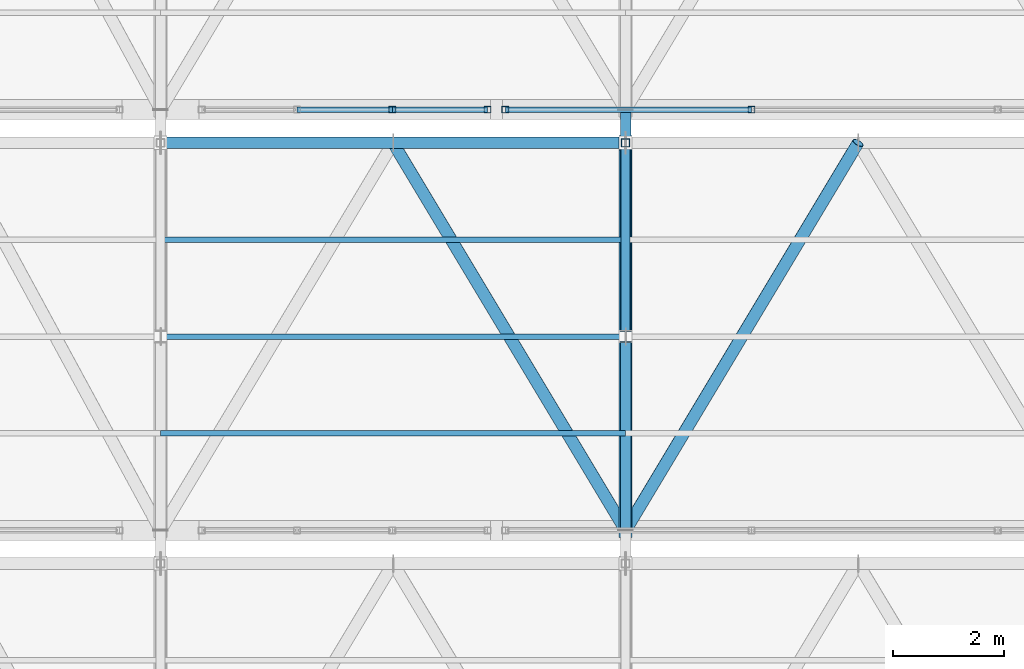
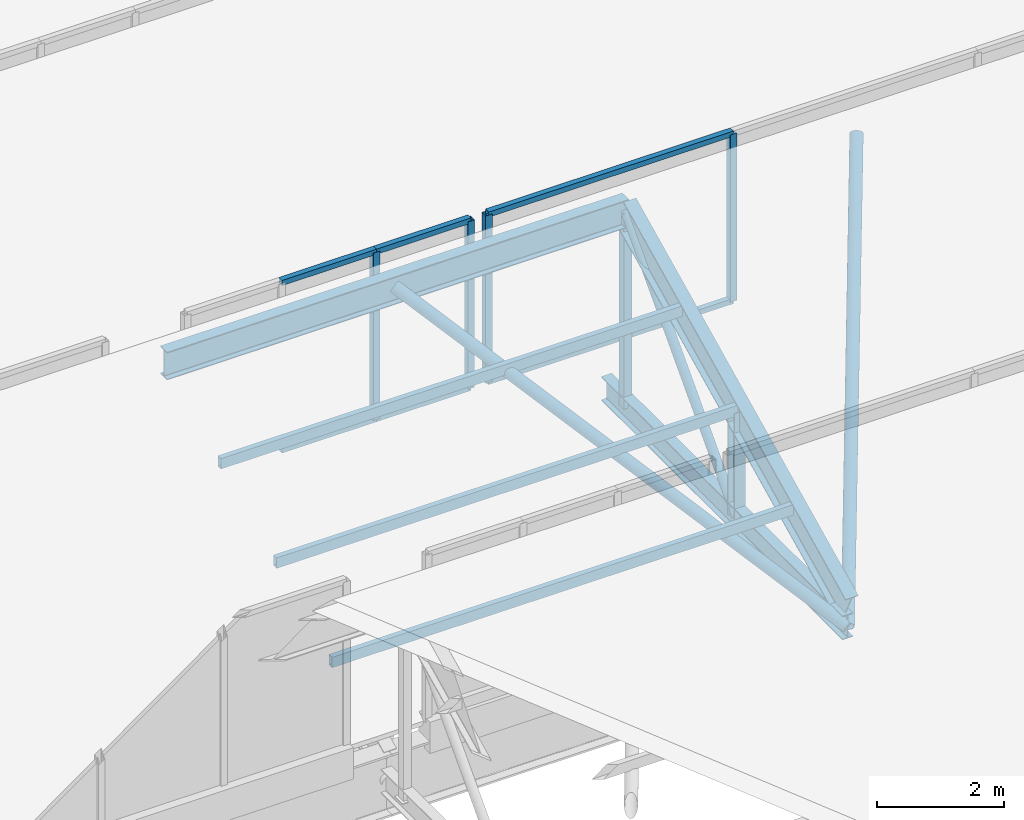
# One storey, part 13 of 57: 21 members, 2 elements without a shape of their own.
"""IFC4 building model written with IfcOpenShell, lengths in metres."""

from ifc_helpers import new_model, si_unit, direction, frame, origin, origin_2d, place, context, subcontext, project, spatial, hollow_rectangle, hollow_circle, i_section, extrude, material, material_profile, profile_set, type_object, element, aggregate, save


model = new_model("IFC4")

# Units and contexts
model_context = context("Model", 3, precision=1e-05, world=origin(), true_north=direction((0.0, 1.0)))
body_context = subcontext(model_context, "Body", "Model", "MODEL_VIEW")
ifc_project = project(units=[si_unit("LENGTHUNIT", "METRE"), si_unit("AREAUNIT", "SQUARE_METRE"), si_unit("VOLUMEUNIT", "CUBIC_METRE"), si_unit("PLANEANGLEUNIT", "RADIAN"), si_unit("MASSUNIT", "GRAM", prefix="KILO")], contexts=[model_context])

# Site, building, storey
site_placement = place(None, origin())
site = spatial("IfcSite", under=ifc_project, at=site_placement, CompositionType="ELEMENT")
building_placement = place(site_placement, origin())
building = spatial("IfcBuilding", under=site, at=building_placement, Name="Zuvorla Pavilion Media Centre", CompositionType="ELEMENT")
storey_placement = place(building_placement, frame((0.0, 0.0, 18.0)))
storey = spatial("IfcBuildingStorey", under=building, at=storey_placement, Name="L04", CompositionType="ELEMENT", Elevation=18.0)

# Curtain wall, members
ifc_material_1 = material(Name="Unitised anodised aluminium and solar glass curtain wall", Category="aluminium")
curtain_wall_type_1 = type_object("IfcCurtainWallType", Name="CW-SYS-91", PredefinedType="USERDEFINED", material=ifc_material_1)
curtain_wall_1_placement = place(storey_placement, origin())
curtain_wall_1 = element("IfcCurtainWall", 1, at=curtain_wall_1_placement, inside=storey, type_object=curtain_wall_type_1, Name="L04 curtain wall CW91 236", ObjectType="CURTAIN WALL", PredefinedType="USERDEFINED")
ifc_material_2 = material(Name="Anodised aluminium 6063-T6", Category="aluminium")
ifc_material_profile_1 = material_profile(ifc_material_2, hollow_rectangle(XDim=0.1201171875, YDim=0.1201171875, WallThickness=0.0048828125, at=origin_2d()), Name="ALU MULL 120x120")
ifc_profile_set_1 = profile_set([ifc_material_profile_1], Name="Anodised aluminium 6063-T6")
member_type_1 = type_object("IfcMemberType", Name="CW-MULL-120", PredefinedType="MULLION", material=ifc_profile_set_1)
member_1_placement = place(storey_placement, frame((129.785888671875, 28.800048828125, 0.0), z_axis=(0.0, 0.0, 1.0), x_axis=(1.0, 0.0, 0.0)))
member_1 = element("IfcMember", 2, at=member_1_placement, type_object=member_type_1, Name="CW91 mullion 3", PredefinedType="MULLION", context=body_context, shape_type="SweptSolid", body=[
    extrude(hollow_rectangle(XDim=0.1201171875, YDim=0.1201171875, WallThickness=0.0048828125, at=origin_2d()), origin(), (0.0, 0.0, 1.0), 3.219970703125),
])
member_2_placement = place(storey_placement, frame((131.506591796875, 28.800048828125, 0.0), z_axis=(0.0, 0.0, 1.0), x_axis=(1.0, 0.0, 0.0)))
member_2 = element("IfcMember", 3, at=member_2_placement, type_object=member_type_1, Name="CW91 mullion 4", PredefinedType="MULLION", context=body_context, shape_type="SweptSolid", body=[
    extrude(hollow_rectangle(XDim=0.1201171875, YDim=0.1201171875, WallThickness=0.0048828125, at=origin_2d()), origin(), (0.0, 0.0, 1.0), 3.219970703125),
])

curtain_wall_type_2 = type_object("IfcCurtainWallType", Name="CW-SYS-95", PredefinedType="USERDEFINED", material=ifc_material_1)
curtain_wall_2_placement = place(storey_placement, origin())
curtain_wall_2 = element("IfcCurtainWall", 4, at=curtain_wall_2_placement, inside=storey, type_object=curtain_wall_type_2, Name="L04 curtain wall CW95 237", ObjectType="CURTAIN WALL", PredefinedType="USERDEFINED")
member_3_placement = place(storey_placement, frame((131.82666015625, 28.800048828125, 0.0), z_axis=(0.0, 0.0, 1.0), x_axis=(1.0, 0.0, 0.0)))
member_3 = element("IfcMember", 5, at=member_3_placement, type_object=member_type_1, Name="CW95 mullion 1", PredefinedType="MULLION", context=body_context, shape_type="SweptSolid", body=[
    extrude(hollow_rectangle(XDim=0.1201171875, YDim=0.1201171875, WallThickness=0.0048828125, at=origin_2d()), origin(), (0.0, 0.0, 1.0), 3.219970703125),
])
member_4_placement = place(storey_placement, frame((136.275634765625, 28.800048828125, 0.0), z_axis=(0.0, 0.0, 1.0), x_axis=(1.0, 0.0, 0.0)))
member_4 = element("IfcMember", 6, at=member_4_placement, type_object=member_type_1, Name="CW95 mullion 2", PredefinedType="MULLION", context=body_context, shape_type="SweptSolid", body=[
    extrude(hollow_rectangle(XDim=0.1201171875, YDim=0.1201171875, WallThickness=0.0048828125, at=origin_2d()), origin(), (0.0, 0.0, 1.0), 3.219970703125),
])

# Member
ifc_material_profile_2 = material_profile(ifc_material_2, hollow_rectangle(XDim=0.10009765625, YDim=0.10009765625, WallThickness=0.00439453125, at=origin_2d()), Name="ALU TRAN 100x100")
ifc_profile_set_2 = profile_set([ifc_material_profile_2], Name="Anodised aluminium 6063-T6")
member_type_2 = type_object("IfcMemberType", Name="CW-TRAN-100", PredefinedType="USERDEFINED", material=ifc_profile_set_2)
member_5_placement = place(storey_placement, frame((128.065185546875, 28.800048828125, 0.0), z_axis=(1.0, 0.0, 0.0), x_axis=(0.0, 1.0, 0.0)))
member_5 = element("IfcMember", 7, at=member_5_placement, type_object=member_type_2, Name="CW91 transom 2.1", ObjectType="TRANSOM", PredefinedType="USERDEFINED", context=body_context, shape_type="SweptSolid", body=[
    extrude(hollow_rectangle(XDim=0.10009765625, YDim=0.10009765625, WallThickness=0.00439453125, at=origin_2d()), origin(), (0.0, 0.0, 1.0), 1.720703125),
])

member_6_placement = place(storey_placement, frame((128.065185546875, 28.800048828125, 3.219970703125), z_axis=(1.0, 0.0, 0.0), x_axis=(0.0, 1.0, 0.0)))
member_6 = element("IfcMember", 8, at=member_6_placement, type_object=member_type_2, Name="CW91 transom 2.2", ObjectType="TRANSOM", PredefinedType="USERDEFINED", context=body_context, shape_type="SweptSolid", body=[
    extrude(hollow_rectangle(XDim=0.10009765625, YDim=0.10009765625, WallThickness=0.00439453125, at=origin_2d()), origin(), (0.0, 0.0, 1.0), 1.720703125),
])

member_7_placement = place(storey_placement, frame((129.785888671875, 28.800048828125, 0.0), z_axis=(1.0, 0.0, 0.0), x_axis=(0.0, 1.0, 0.0)))
member_7 = element("IfcMember", 9, at=member_7_placement, type_object=member_type_2, Name="CW91 transom 3.1", ObjectType="TRANSOM", PredefinedType="USERDEFINED", context=body_context, shape_type="SweptSolid", body=[
    extrude(hollow_rectangle(XDim=0.10009765625, YDim=0.10009765625, WallThickness=0.00439453125, at=origin_2d()), origin(), (0.0, 0.0, 1.0), 1.720703125),
])

member_8_placement = place(storey_placement, frame((129.785888671875, 28.800048828125, 3.219970703125), z_axis=(1.0, 0.0, 0.0), x_axis=(0.0, 1.0, 0.0)))
member_8 = element("IfcMember", 10, at=member_8_placement, type_object=member_type_2, Name="CW91 transom 3.2", ObjectType="TRANSOM", PredefinedType="USERDEFINED", context=body_context, shape_type="SweptSolid", body=[
    extrude(hollow_rectangle(XDim=0.10009765625, YDim=0.10009765625, WallThickness=0.00439453125, at=origin_2d()), origin(), (0.0, 0.0, 1.0), 1.720703125),
])

aggregate(curtain_wall_1, [member_1, member_2, member_5, member_6, member_7, member_8])

member_9_placement = place(storey_placement, frame((131.82666015625, 28.800048828125, 0.0), z_axis=(1.0, 0.0, 0.0), x_axis=(0.0, 1.0, 0.0)))
member_9 = element("IfcMember", 11, at=member_9_placement, type_object=member_type_2, Name="CW95 transom 1.1", ObjectType="TRANSOM", PredefinedType="USERDEFINED", context=body_context, shape_type="SweptSolid", body=[
    extrude(hollow_rectangle(XDim=0.10009765625, YDim=0.10009765625, WallThickness=0.00439453125, at=origin_2d()), origin(), (0.0, 0.0, 1.0), 4.448974609375),
])

member_10_placement = place(storey_placement, frame((131.82666015625, 28.800048828125, 3.219970703125), z_axis=(1.0, 0.0, 0.0), x_axis=(0.0, 1.0, 0.0)))
member_10 = element("IfcMember", 12, at=member_10_placement, type_object=member_type_2, Name="CW95 transom 1.2", ObjectType="TRANSOM", PredefinedType="USERDEFINED", context=body_context, shape_type="SweptSolid", body=[
    extrude(hollow_rectangle(XDim=0.10009765625, YDim=0.10009765625, WallThickness=0.00439453125, at=origin_2d()), origin(), (0.0, 0.0, 1.0), 4.448974609375),
])

aggregate(curtain_wall_2, [member_3, member_4, member_9, member_10])

# Members
ifc_material_3 = material(Name="Steel S355", Category="steel")
ifc_material_profile_3 = material_profile(ifc_material_3, hollow_circle(Radius=0.084228515625, WallThickness=0.008056640625, at=origin_2d()), Name="CHS 168.3x8")
ifc_profile_set_3 = profile_set([ifc_material_profile_3], Name="Steel S355")
member_type_3 = type_object("IfcMemberType", Name="MEM-BRC-CHS168", PredefinedType="BRACE", material=ifc_profile_set_3)
member_11_placement = place(storey_placement, frame((134.0, 24.699951171875, -0.8798828125), z_axis=(0.0, 0.681156069412, 0.732138244529), x_axis=(-1.0, 0.0, 0.0)))
element("IfcMember", 13, at=member_11_placement, inside=storey, type_object=member_type_3, Name="L04 diagonal brace TB03 631", PredefinedType="BRACE", context=body_context, shape_type="SweptSolid", body=[
    extrude(hollow_circle(Radius=0.084228515625, WallThickness=0.008056640625, at=origin_2d()), origin(), (0.0, 0.0, 1.0), 5.138427734375),
])
ifc_material_profile_4 = material_profile(ifc_material_3, hollow_circle(Radius=0.109619140625, WallThickness=0.010009765625, at=origin_2d()), Name="CHS 219.1x10")
ifc_profile_set_4 = profile_set([ifc_material_profile_4], Name="Steel S355")
member_type_4 = type_object("IfcMemberType", Name="MEM-BRC-CHS219", PredefinedType="BRACE", material=ifc_profile_set_4)
for number, where, z_axis, x_axis, name in (
    (14, (129.800048828125, 28.199951171875, 2.882080078125), (0.46726169892, -0.778778552081, -0.418533716135), (0.857495564561, 0.514491357322, 0.0), "L04 diagonal brace TB02 656"),
    (15, (134.0, 21.199951171875, -0.8798828125), (0.46726169892, 0.778778552081, 0.418533716135), (-0.857495564561, 0.514491357322, 0.0), "L04 diagonal brace TB02 661"),
):
    element("IfcMember", number, at=place(storey_placement, frame(where, z_axis=z_axis, x_axis=x_axis)), inside=storey, type_object=member_type_4, Name=name, PredefinedType="BRACE", context=body_context, shape_type="SweptSolid", body=[
        extrude(hollow_circle(Radius=0.109619140625, WallThickness=0.010009765625, at=origin_2d()), origin(), (0.0, 0.0, 1.0), 8.988525390625),
    ])
ifc_material_profile_5 = material_profile(ifc_material_3, i_section(OverallWidth=0.19140625, OverallDepth=0.4599609375, WebThickness=0.010009765625, FlangeThickness=0.01611328125, FilletRadius=0.01025390625, at=origin_2d()), Name="UB 457x191x82")
ifc_profile_set_5 = profile_set([ifc_material_profile_5], Name="Steel S355")
member_type_5 = type_object("IfcMemberType", Name="MEM-CHD-UB457", PredefinedType="CHORD", material=ifc_profile_set_5)
member_12_placement = place(storey_placement, frame((134.0, 21.199951171875, -0.8798828125), z_axis=(0.0, 1.0, 0.0), x_axis=(-1.0, 0.0, 0.0)))
element("IfcMember", 16, at=member_12_placement, inside=storey, type_object=member_type_5, Name="L04 chord TC03 628", PredefinedType="CHORD", context=body_context, shape_type="SweptSolid", body=[
    extrude(i_section(OverallWidth=0.19140625, OverallDepth=0.4599609375, WebThickness=0.010009765625, FlangeThickness=0.01611328125, FilletRadius=0.01025390625, at=origin_2d()), origin(), (0.0, 0.0, 1.0), 7.60009765625),
])
ifc_material_profile_6 = material_profile(ifc_material_3, i_section(OverallWidth=0.2099609375, OverallDepth=0.53662109375, WebThickness=0.0107421875, FlangeThickness=0.017333984375, FilletRadius=0.0126953125, at=origin_2d()), Name="UB 533x210x101")
ifc_profile_set_6 = profile_set([ifc_material_profile_6], Name="Steel S355")
member_type_6 = type_object("IfcMemberType", Name="MEM-CHD-UB533", PredefinedType="CHORD", material=ifc_profile_set_6)
member_13_placement = place(storey_placement, frame((125.60009765625, 28.199951171875, 2.882080078125), z_axis=(1.0, 0.0, 0.0), x_axis=(0.0, 1.0, 0.0)))
element("IfcMember", 17, at=member_13_placement, inside=storey, type_object=member_type_6, Name="L04 chord TC02 654", PredefinedType="CHORD", context=body_context, shape_type="SweptSolid", body=[
    extrude(i_section(OverallWidth=0.2099609375, OverallDepth=0.53662109375, WebThickness=0.0107421875, FlangeThickness=0.017333984375, FilletRadius=0.0126953125, at=origin_2d()), origin(), (0.0, 0.0, 1.0), 8.39990234375),
])
ifc_material_profile_7 = material_profile(ifc_material_3, i_section(OverallWidth=0.22900390625, OverallDepth=0.6123046875, WebThickness=0.011962890625, FlangeThickness=0.01953125, FilletRadius=0.0126953125, at=origin_2d()), Name="UB 610x229x125")
ifc_profile_set_7 = profile_set([ifc_material_profile_7], Name="Steel S355")
member_type_7 = type_object("IfcMemberType", Name="MEM-CHD-UB610", PredefinedType="CHORD", material=ifc_profile_set_7)
member_14_placement = place(storey_placement, frame((134.0, 21.199951171875, -0.517822265625), z_axis=(0.0, 0.899513090263, 0.436893809117), x_axis=(-1.0, 0.0, 0.0)))
element("IfcMember", 18, at=member_14_placement, inside=storey, type_object=member_type_7, Name="L04 chord TC01 629", PredefinedType="CHORD", context=body_context, shape_type="SweptSolid", body=[
    extrude(i_section(OverallWidth=0.22900390625, OverallDepth=0.6123046875, WebThickness=0.011962890625, FlangeThickness=0.01953125, FilletRadius=0.0126953125, at=origin_2d()), origin(), (0.0, 0.0, 1.0), 7.781982421875),
])
ifc_material_profile_8 = material_profile(ifc_material_3, hollow_rectangle(XDim=0.10009765625, YDim=0.199951171875, WallThickness=0.008056640625, at=origin_2d()), Name="RHS 200x100x8")
ifc_profile_set_8 = profile_set([ifc_material_profile_8], Name="Steel S355")
member_type_8 = type_object("IfcMemberType", Name="MEM-PUR-RHS200", PredefinedType="PURLIN", material=ifc_profile_set_8)
for number, where, z_axis, x_axis, name in (
    (19, (125.60009765625, 22.949951171875, 0.33203125), (1.0, 0.0, 0.0), (0.0, 1.0, 0.0), "L04 purlin PR01 657"),
    (20, (125.60009765625, 24.699951171875, 1.18212890625), (1.0, 0.0, 0.0), (0.0, 1.0, 0.0), "L04 purlin PR01 658"),
    (21, (125.60009765625, 26.449951171875, 2.031982421875), (1.0, 0.0, 0.0), (0.0, 1.0, 0.0), "L04 purlin PR01 659"),
):
    element("IfcMember", number, at=place(storey_placement, frame(where, z_axis=z_axis, x_axis=x_axis)), inside=storey, type_object=member_type_8, Name=name, PredefinedType="PURLIN", context=body_context, shape_type="SweptSolid", body=[
        extrude(hollow_rectangle(XDim=0.10009765625, YDim=0.199951171875, WallThickness=0.008056640625, at=origin_2d()), origin(), (0.0, 0.0, 1.0), 8.39990234375),
    ])
ifc_material_profile_9 = material_profile(ifc_material_3, hollow_rectangle(XDim=0.14990234375, YDim=0.14990234375, WallThickness=0.008056640625, at=origin_2d()), Name="SHS 150x150x8")
ifc_profile_set_9 = profile_set([ifc_material_profile_9], Name="Steel S355")
member_type_9 = type_object("IfcMemberType", Name="MEM-STR-SHS150", PredefinedType="STRUT", material=ifc_profile_set_9)
member_15_placement = place(storey_placement, frame((134.0, 28.199951171875, -0.8798828125), z_axis=(0.0, 0.0, 1.0), x_axis=(1.0, 0.0, 0.0)))
element("IfcMember", 22, at=member_15_placement, inside=storey, type_object=member_type_9, Name="L04 vertical strut TS01 630", PredefinedType="STRUT", context=body_context, shape_type="SweptSolid", body=[
    extrude(hollow_rectangle(XDim=0.14990234375, YDim=0.14990234375, WallThickness=0.008056640625, at=origin_2d()), origin(), (0.0, 0.0, 1.0), 3.761962890625),
])
ifc_material_profile_10 = material_profile(ifc_material_3, i_section(OverallWidth=0.205810546875, OverallDepth=0.209716796875, WebThickness=0.009521484375, FlangeThickness=0.01416015625, FilletRadius=0.01025390625, at=origin_2d()), Name="UC 203x203x60")
ifc_profile_set_10 = profile_set([ifc_material_profile_10], Name="Steel S355")
member_type_10 = type_object("IfcMemberType", Name="MEM-STR-UC203", PredefinedType="STRUT", material=ifc_profile_set_10)
member_16_placement = place(storey_placement, frame((134.0, 24.699951171875, -0.8798828125), z_axis=(0.0, 0.0, 1.0), x_axis=(1.0, 0.0, 0.0)))
element("IfcMember", 23, at=member_16_placement, inside=storey, type_object=member_type_10, Name="L04 vertical strut TS02 632", PredefinedType="STRUT", context=body_context, shape_type="SweptSolid", body=[
    extrude(i_section(OverallWidth=0.205810546875, OverallDepth=0.209716796875, WebThickness=0.009521484375, FlangeThickness=0.01416015625, FilletRadius=0.01025390625, at=origin_2d()), origin(), (0.0, 0.0, 1.0), 2.06201171875),
])

save(model, "model.ifc")
